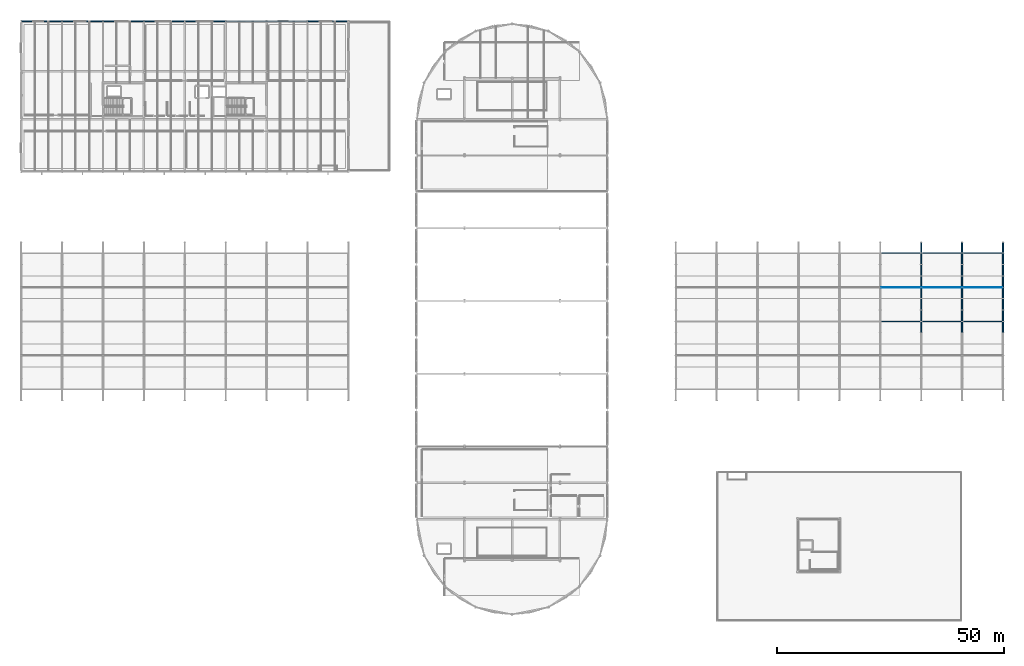
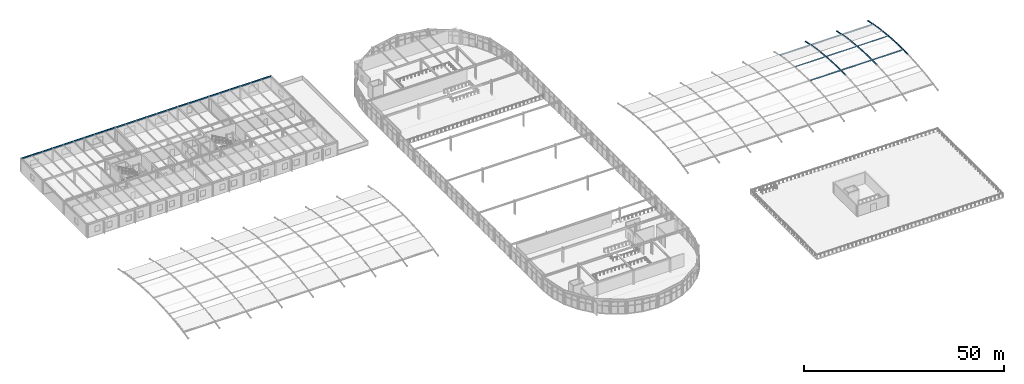
# One storey, part 49 of 105: 33 members, 8 beams.
"""IFC4 building model written with IfcOpenShell, lengths in metres."""

from ifc_helpers import new_model, si_unit, direction, frame, origin, origin_2d, place, context, subcontext, project, spatial, hollow_rectangle, hollow_circle, i_section, extrude, material, material_profile, profile_set, type_object, element, save


model = new_model("IFC4")

# Units and contexts
model_context = context("Model", 3, precision=1e-05, world=origin(), true_north=direction((0.0, 1.0)))
body_context = subcontext(model_context, "Body", "Model", "MODEL_VIEW")
ifc_project = project(units=[si_unit("LENGTHUNIT", "METRE"), si_unit("AREAUNIT", "SQUARE_METRE"), si_unit("VOLUMEUNIT", "CUBIC_METRE"), si_unit("PLANEANGLEUNIT", "RADIAN"), si_unit("MASSUNIT", "GRAM", prefix="KILO")], contexts=[model_context])

# Site, building, storey
site_placement = place(None, origin())
site = spatial("IfcSite", under=ifc_project, at=site_placement, CompositionType="ELEMENT")
building_placement = place(site_placement, origin())
building = spatial("IfcBuilding", under=site, at=building_placement, Name="Marlcrest Central Station", CompositionType="ELEMENT")
storey_placement = place(building_placement, frame((0.0, 0.0, 15.0)))
storey = spatial("IfcBuildingStorey", under=building, at=storey_placement, Name="L03", CompositionType="ELEMENT", Elevation=15.0)

# Members
ifc_material = material(Name="Steel S355", Category="steel")
ifc_material_profile_1 = material_profile(ifc_material, hollow_circle(Radius=0.203125, WallThickness=0.02001953125, at=origin_2d()), Name="CHS 406.4x20")
ifc_profile_set_1 = profile_set([ifc_material_profile_1], Name="Steel S355")
member_type_1 = type_object("IfcMemberType", Name="AC-01", PredefinedType="CHORD", material=ifc_profile_set_1)
for number, where, z_axis, x_axis, name in (
    (1, (198.0, 63.5, 1.76123046875), (0.0, 0.999879472592, 0.01552547228), (-1.0, 0.0, 0.0), "mem-AC-01-L03-01832"),
    (2, (198.0, 66.0, 1.800048828125), (0.0, 0.999879472592, -0.01552547228), (-1.0, 0.0, 0.0), "mem-AC-01-L03-01836"),
):
    element("IfcMember", number, at=place(storey_placement, frame(where, z_axis=z_axis, x_axis=x_axis)), inside=storey, type_object=member_type_1, Name=name, PredefinedType="CHORD", context=body_context, shape_type="SweptSolid", body=[
        extrude(hollow_circle(Radius=0.203125, WallThickness=0.02001953125, at=origin_2d()), origin(), (0.0, 0.0, 1.0), 2.500244140625),
    ])
member_1_placement = place(storey_placement, frame((198.0, 68.5, 1.76123046875), z_axis=(0.0, 0.998921349185, -0.046434234591), x_axis=(-1.0, 0.0, 0.0)))
element("IfcMember", 3, at=member_1_placement, inside=storey, type_object=member_type_1, Name="mem-AC-01-L03-01840", PredefinedType="CHORD", context=body_context, shape_type="SweptSolid", body=[
    extrude(hollow_circle(Radius=0.203125, WallThickness=0.02001953125, at=origin_2d()), origin(), (0.0, 0.0, 1.0), 2.502685546875),
])
member_2_placement = place(storey_placement, frame((198.0, 71.0, 1.64501953125), z_axis=(0.0, 0.996999825732, -0.077403795064), x_axis=(-1.0, 0.0, 0.0)))
element("IfcMember", 4, at=member_2_placement, inside=storey, type_object=member_type_1, Name="mem-AC-01-L03-01844", PredefinedType="CHORD", context=body_context, shape_type="SweptSolid", body=[
    extrude(hollow_circle(Radius=0.203125, WallThickness=0.02001953125, at=origin_2d()), origin(), (0.0, 0.0, 1.0), 2.507568359375),
])
member_3_placement = place(storey_placement, frame((198.0, 73.5, 1.450927734375), z_axis=(0.0, 0.994155341034, -0.107959056565), x_axis=(-1.0, 0.0, 0.0)))
element("IfcMember", 5, at=member_3_placement, inside=storey, type_object=member_type_1, Name="mem-AC-01-L03-01848", PredefinedType="CHORD", context=body_context, shape_type="SweptSolid", body=[
    extrude(hollow_circle(Radius=0.203125, WallThickness=0.02001953125, at=origin_2d()), origin(), (0.0, 0.0, 1.0), 2.5146484375),
])
member_4_placement = place(storey_placement, frame((198.0, 76.0, 1.179443359375), z_axis=(0.0, 0.990402740232, -0.138211476152), x_axis=(-1.0, 0.0, 0.0)))
element("IfcMember", 6, at=member_4_placement, inside=storey, type_object=member_type_1, Name="mem-AC-01-L03-01852", PredefinedType="CHORD", context=body_context, shape_type="SweptSolid", body=[
    extrude(hollow_circle(Radius=0.203125, WallThickness=0.02001953125, at=origin_2d()), origin(), (0.0, 0.0, 1.0), 2.524169921875),
])
member_5_placement = place(storey_placement, frame((198.0, 78.5, 0.83056640625), z_axis=(0.0, 0.98574109921, -0.168269086076), x_axis=(-1.0, 0.0, 0.0)))
element("IfcMember", 7, at=member_5_placement, inside=storey, type_object=member_type_1, Name="mem-AC-01-L03-01856", PredefinedType="CHORD", context=body_context, shape_type="SweptSolid", body=[
    extrude(hollow_circle(Radius=0.203125, WallThickness=0.02001953125, at=origin_2d()), origin(), (0.0, 0.0, 1.0), 2.5361328125),
])
member_6_placement = place(storey_placement, frame((198.0, 81.0, 0.40380859375), z_axis=(0.0, 0.980359417961, -0.197219196874), x_axis=(-1.0, 0.0, 0.0)))
element("IfcMember", 8, at=member_6_placement, inside=storey, type_object=member_type_1, Name="mem-AC-01-L03-01860", PredefinedType="CHORD", context=body_context, shape_type="SweptSolid", body=[
    extrude(hollow_circle(Radius=0.203125, WallThickness=0.02001953125, at=origin_2d()), origin(), (0.0, 0.0, 1.0), 2.468505859375),
])
for number, where, z_axis, x_axis, name in (
    (9, (207.0, 63.5, 1.76123046875), (0.0, 0.999879472592, 0.01552547228), (-1.0, 0.0, 0.0), "mem-AC-01-L03-01948"),
    (10, (207.0, 66.0, 1.800048828125), (0.0, 0.999879472592, -0.01552547228), (-1.0, 0.0, 0.0), "mem-AC-01-L03-01952"),
):
    element("IfcMember", number, at=place(storey_placement, frame(where, z_axis=z_axis, x_axis=x_axis)), inside=storey, type_object=member_type_1, Name=name, PredefinedType="CHORD", context=body_context, shape_type="SweptSolid", body=[
        extrude(hollow_circle(Radius=0.203125, WallThickness=0.02001953125, at=origin_2d()), origin(), (0.0, 0.0, 1.0), 2.500244140625),
    ])
member_7_placement = place(storey_placement, frame((207.0, 68.5, 1.76123046875), z_axis=(0.0, 0.998921349185, -0.046434234591), x_axis=(-1.0, 0.0, 0.0)))
element("IfcMember", 11, at=member_7_placement, inside=storey, type_object=member_type_1, Name="mem-AC-01-L03-01956", PredefinedType="CHORD", context=body_context, shape_type="SweptSolid", body=[
    extrude(hollow_circle(Radius=0.203125, WallThickness=0.02001953125, at=origin_2d()), origin(), (0.0, 0.0, 1.0), 2.502685546875),
])
member_8_placement = place(storey_placement, frame((207.0, 71.0, 1.64501953125), z_axis=(0.0, 0.996999825732, -0.077403795064), x_axis=(-1.0, 0.0, 0.0)))
element("IfcMember", 12, at=member_8_placement, inside=storey, type_object=member_type_1, Name="mem-AC-01-L03-01960", PredefinedType="CHORD", context=body_context, shape_type="SweptSolid", body=[
    extrude(hollow_circle(Radius=0.203125, WallThickness=0.02001953125, at=origin_2d()), origin(), (0.0, 0.0, 1.0), 2.507568359375),
])
member_9_placement = place(storey_placement, frame((207.0, 73.5, 1.450927734375), z_axis=(0.0, 0.994155341034, -0.107959056565), x_axis=(-1.0, 0.0, 0.0)))
element("IfcMember", 13, at=member_9_placement, inside=storey, type_object=member_type_1, Name="mem-AC-01-L03-01964", PredefinedType="CHORD", context=body_context, shape_type="SweptSolid", body=[
    extrude(hollow_circle(Radius=0.203125, WallThickness=0.02001953125, at=origin_2d()), origin(), (0.0, 0.0, 1.0), 2.5146484375),
])
member_10_placement = place(storey_placement, frame((207.0, 76.0, 1.179443359375), z_axis=(0.0, 0.990402740232, -0.138211476152), x_axis=(-1.0, 0.0, 0.0)))
element("IfcMember", 14, at=member_10_placement, inside=storey, type_object=member_type_1, Name="mem-AC-01-L03-01968", PredefinedType="CHORD", context=body_context, shape_type="SweptSolid", body=[
    extrude(hollow_circle(Radius=0.203125, WallThickness=0.02001953125, at=origin_2d()), origin(), (0.0, 0.0, 1.0), 2.524169921875),
])
member_11_placement = place(storey_placement, frame((207.0, 78.5, 0.83056640625), z_axis=(0.0, 0.98574109921, -0.168269086076), x_axis=(-1.0, 0.0, 0.0)))
element("IfcMember", 15, at=member_11_placement, inside=storey, type_object=member_type_1, Name="mem-AC-01-L03-01972", PredefinedType="CHORD", context=body_context, shape_type="SweptSolid", body=[
    extrude(hollow_circle(Radius=0.203125, WallThickness=0.02001953125, at=origin_2d()), origin(), (0.0, 0.0, 1.0), 2.5361328125),
])
member_12_placement = place(storey_placement, frame((207.0, 81.0, 0.40380859375), z_axis=(0.0, 0.980359417961, -0.197219196874), x_axis=(-1.0, 0.0, 0.0)))
element("IfcMember", 16, at=member_12_placement, inside=storey, type_object=member_type_1, Name="mem-AC-01-L03-01976", PredefinedType="CHORD", context=body_context, shape_type="SweptSolid", body=[
    extrude(hollow_circle(Radius=0.203125, WallThickness=0.02001953125, at=origin_2d()), origin(), (0.0, 0.0, 1.0), 2.468505859375),
])
for number, where, z_axis, x_axis, name in (
    (17, (216.0, 63.5, 1.76123046875), (0.0, 0.999879472592, 0.01552547228), (-1.0, 0.0, 0.0), "mem-AC-01-L03-02064"),
    (18, (216.0, 66.0, 1.800048828125), (0.0, 0.999879472592, -0.01552547228), (-1.0, 0.0, 0.0), "mem-AC-01-L03-02068"),
):
    element("IfcMember", number, at=place(storey_placement, frame(where, z_axis=z_axis, x_axis=x_axis)), inside=storey, type_object=member_type_1, Name=name, PredefinedType="CHORD", context=body_context, shape_type="SweptSolid", body=[
        extrude(hollow_circle(Radius=0.203125, WallThickness=0.02001953125, at=origin_2d()), origin(), (0.0, 0.0, 1.0), 2.500244140625),
    ])
member_13_placement = place(storey_placement, frame((216.0, 68.5, 1.76123046875), z_axis=(0.0, 0.998921349185, -0.046434234591), x_axis=(-1.0, 0.0, 0.0)))
element("IfcMember", 19, at=member_13_placement, inside=storey, type_object=member_type_1, Name="mem-AC-01-L03-02072", PredefinedType="CHORD", context=body_context, shape_type="SweptSolid", body=[
    extrude(hollow_circle(Radius=0.203125, WallThickness=0.02001953125, at=origin_2d()), origin(), (0.0, 0.0, 1.0), 2.502685546875),
])
member_14_placement = place(storey_placement, frame((216.0, 71.0, 1.64501953125), z_axis=(0.0, 0.996999825732, -0.077403795064), x_axis=(-1.0, 0.0, 0.0)))
element("IfcMember", 20, at=member_14_placement, inside=storey, type_object=member_type_1, Name="mem-AC-01-L03-02076", PredefinedType="CHORD", context=body_context, shape_type="SweptSolid", body=[
    extrude(hollow_circle(Radius=0.203125, WallThickness=0.02001953125, at=origin_2d()), origin(), (0.0, 0.0, 1.0), 2.507568359375),
])
member_15_placement = place(storey_placement, frame((216.0, 73.5, 1.450927734375), z_axis=(0.0, 0.994155341034, -0.107959056565), x_axis=(-1.0, 0.0, 0.0)))
element("IfcMember", 21, at=member_15_placement, inside=storey, type_object=member_type_1, Name="mem-AC-01-L03-02080", PredefinedType="CHORD", context=body_context, shape_type="SweptSolid", body=[
    extrude(hollow_circle(Radius=0.203125, WallThickness=0.02001953125, at=origin_2d()), origin(), (0.0, 0.0, 1.0), 2.5146484375),
])
member_16_placement = place(storey_placement, frame((216.0, 76.0, 1.179443359375), z_axis=(0.0, 0.990402740232, -0.138211476152), x_axis=(-1.0, 0.0, 0.0)))
element("IfcMember", 22, at=member_16_placement, inside=storey, type_object=member_type_1, Name="mem-AC-01-L03-02084", PredefinedType="CHORD", context=body_context, shape_type="SweptSolid", body=[
    extrude(hollow_circle(Radius=0.203125, WallThickness=0.02001953125, at=origin_2d()), origin(), (0.0, 0.0, 1.0), 2.524169921875),
])
member_17_placement = place(storey_placement, frame((216.0, 78.5, 0.83056640625), z_axis=(0.0, 0.98574109921, -0.168269086076), x_axis=(-1.0, 0.0, 0.0)))
element("IfcMember", 23, at=member_17_placement, inside=storey, type_object=member_type_1, Name="mem-AC-01-L03-02088", PredefinedType="CHORD", context=body_context, shape_type="SweptSolid", body=[
    extrude(hollow_circle(Radius=0.203125, WallThickness=0.02001953125, at=origin_2d()), origin(), (0.0, 0.0, 1.0), 2.5361328125),
])
member_18_placement = place(storey_placement, frame((216.0, 81.0, 0.40380859375), z_axis=(0.0, 0.980359417961, -0.197219196874), x_axis=(-1.0, 0.0, 0.0)))
element("IfcMember", 24, at=member_18_placement, inside=storey, type_object=member_type_1, Name="mem-AC-01-L03-02092", PredefinedType="CHORD", context=body_context, shape_type="SweptSolid", body=[
    extrude(hollow_circle(Radius=0.203125, WallThickness=0.02001953125, at=origin_2d()), origin(), (0.0, 0.0, 1.0), 2.468505859375),
])
ifc_material_profile_2 = material_profile(ifc_material, i_section(OverallWidth=0.10009765625, OverallDepth=0.199951171875, WebThickness=0.005615234375, FlangeThickness=0.008544921875, FilletRadius=0.011962890625, at=origin_2d()), Name="IPE 200")
ifc_profile_set_2 = profile_set([ifc_material_profile_2], Name="Steel S355")
member_type_2 = type_object("IfcMemberType", Name="PR-01", PredefinedType="PURLIN", material=ifc_profile_set_2)
for number, where, z_axis, x_axis, name in (
    (25, (189.179931640625, 73.5, 1.31103515625), (1.0, 0.0, 0.0), (0.0, 1.0, 0.0), "mem-PR-01-L03-01779"),
    (26, (198.179931640625, 73.5, 1.31103515625), (1.0, 0.0, 0.0), (0.0, 1.0, 0.0), "mem-PR-01-L03-01895"),
    (27, (207.179931640625, 73.5, 1.31103515625), (1.0, 0.0, 0.0), (0.0, 1.0, 0.0), "mem-PR-01-L03-02011"),
):
    element("IfcMember", number, at=place(storey_placement, frame(where, z_axis=z_axis, x_axis=x_axis)), inside=storey, type_object=member_type_2, Name=name, PredefinedType="PURLIN", context=body_context, shape_type="SweptSolid", body=[
        extrude(i_section(OverallWidth=0.10009765625, OverallDepth=0.199951171875, WebThickness=0.005615234375, FlangeThickness=0.008544921875, FilletRadius=0.011962890625, at=origin_2d()), origin(), (0.0, 0.0, 1.0), 8.64013671875),
    ])
ifc_material_profile_3 = material_profile(ifc_material, i_section(OverallWidth=0.1201171875, OverallDepth=0.239990234375, WebThickness=0.006103515625, FlangeThickness=0.009765625, FilletRadius=0.014892578125, at=origin_2d()), Name="IPE 240")
ifc_profile_set_3 = profile_set([ifc_material_profile_3], Name="Steel S355")
member_type_3 = type_object("IfcMemberType", Name="PR-02", PredefinedType="PURLIN", material=ifc_profile_set_3)
for number, where, z_axis, x_axis, name in (
    (28, (189.179931640625, 66.0, 1.659912109375), (1.0, 0.0, 0.0), (0.0, 1.0, 0.0), "mem-PR-02-L03-01778"),
    (29, (189.179931640625, 81.0, 0.263916015625), (1.0, 0.0, 0.0), (0.0, 1.0, 0.0), "mem-PR-02-L03-01780"),
    (30, (198.179931640625, 66.0, 1.659912109375), (1.0, 0.0, 0.0), (0.0, 1.0, 0.0), "mem-PR-02-L03-01894"),
    (31, (198.179931640625, 81.0, 0.263916015625), (1.0, 0.0, 0.0), (0.0, 1.0, 0.0), "mem-PR-02-L03-01896"),
    (32, (207.179931640625, 66.0, 1.659912109375), (1.0, 0.0, 0.0), (0.0, 1.0, 0.0), "mem-PR-02-L03-02010"),
    (33, (207.179931640625, 81.0, 0.263916015625), (1.0, 0.0, 0.0), (0.0, 1.0, 0.0), "mem-PR-02-L03-02012"),
):
    element("IfcMember", number, at=place(storey_placement, frame(where, z_axis=z_axis, x_axis=x_axis)), inside=storey, type_object=member_type_3, Name=name, PredefinedType="PURLIN", context=body_context, shape_type="SweptSolid", body=[
        extrude(i_section(OverallWidth=0.1201171875, OverallDepth=0.239990234375, WebThickness=0.006103515625, FlangeThickness=0.009765625, FilletRadius=0.014892578125, at=origin_2d()), origin(), (0.0, 0.0, 1.0), 8.64013671875),
    ])

# Beams
ifc_material_profile_4 = material_profile(ifc_material, hollow_rectangle(XDim=0.199951171875, YDim=0.39990234375, WallThickness=0.01611328125, at=origin_2d()), Name="RHS 400x200x16")
ifc_profile_set_4 = profile_set([ifc_material_profile_4], Name="Steel S355")
beam_type = type_object("IfcBeamType", Name="SP-01", PredefinedType="SPANDREL", material=ifc_profile_set_4)
for number, where, z_axis, x_axis, name in (
    (34, (0.050048828125, 132.0, 4.0849609375), (1.0, 0.0, 0.0), (0.0, 1.0, 0.0), "bm-SP-01-L03-00492"),
    (35, (9.050048828125, 132.0, 4.0849609375), (1.0, 0.0, 0.0), (0.0, 1.0, 0.0), "bm-SP-01-L03-00493"),
    (36, (18.050048828125, 132.0, 4.0849609375), (1.0, 0.0, 0.0), (0.0, 1.0, 0.0), "bm-SP-01-L03-00494"),
    (37, (27.050048828125, 132.0, 4.0849609375), (1.0, 0.0, 0.0), (0.0, 1.0, 0.0), "bm-SP-01-L03-00495"),
    (38, (36.050048828125, 132.0, 4.0849609375), (1.0, 0.0, 0.0), (0.0, 1.0, 0.0), "bm-SP-01-L03-00496"),
    (39, (45.050048828125, 132.0, 4.0849609375), (1.0, 0.0, 0.0), (0.0, 1.0, 0.0), "bm-SP-01-L03-00497"),
    (40, (54.050048828125, 132.0, 4.0849609375), (1.0, 0.0, 0.0), (0.0, 1.0, 0.0), "bm-SP-01-L03-00498"),
    (41, (63.050048828125, 132.0, 4.034912109375), (1.0, 0.0, 0.0), (0.0, 1.0, 0.0), "bm-SP-01-L03-00499"),
):
    element("IfcBeam", number, at=place(storey_placement, frame(where, z_axis=z_axis, x_axis=x_axis)), inside=storey, type_object=beam_type, Name=name, PredefinedType="SPANDREL", context=body_context, shape_type="SweptSolid", body=[
        extrude(hollow_rectangle(XDim=0.199951171875, YDim=0.39990234375, WallThickness=0.01611328125, at=origin_2d()), origin(), (0.0, 0.0, 1.0), 8.89990234375),
    ])

save(model, "model.ifc")
